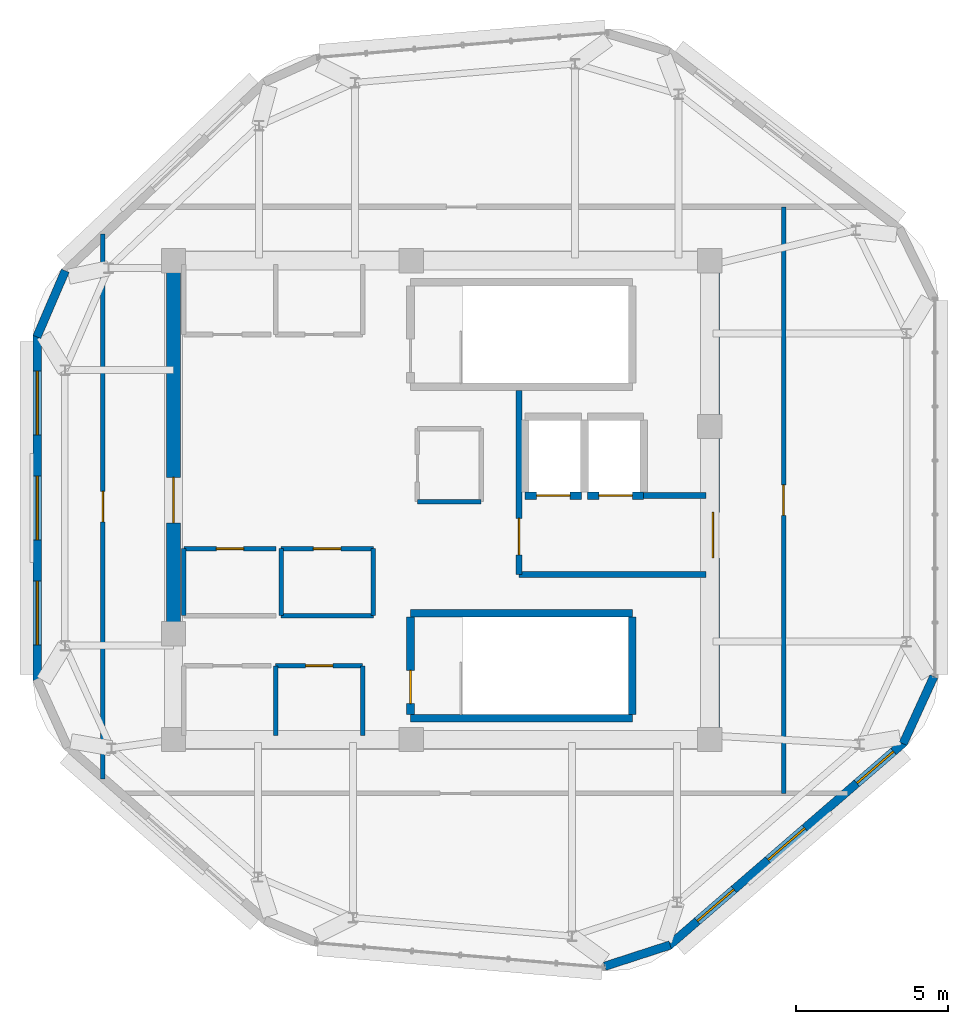
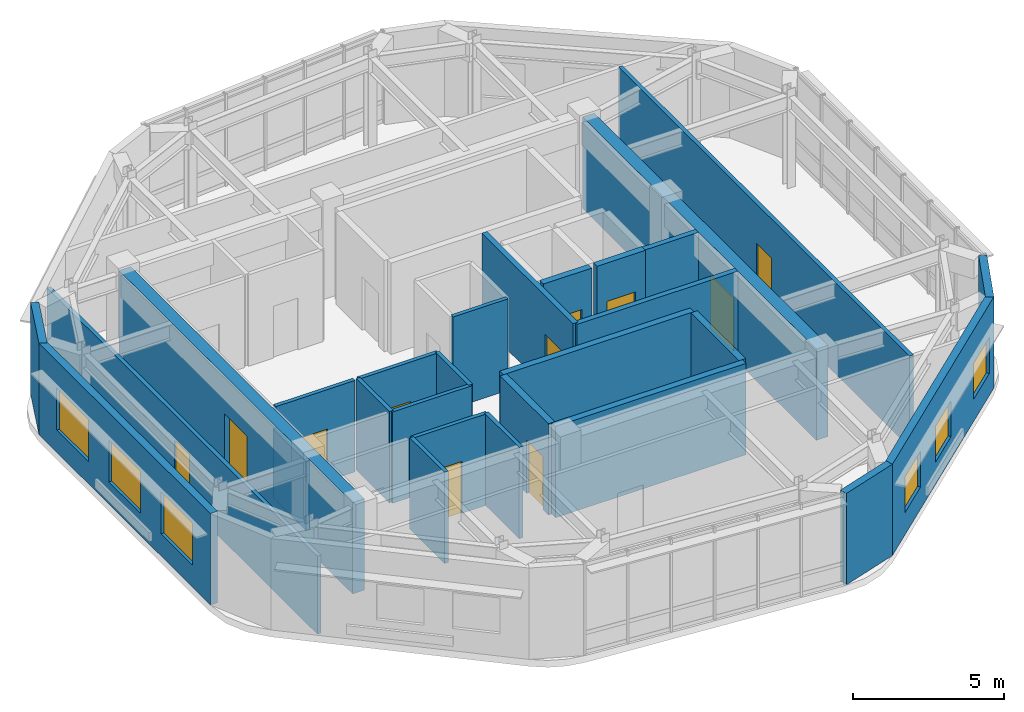
# One storey, part 11 of 13: 28 walls, 11 doors, 6 windows, 17 openings.
"""IFC4 building model written with IfcOpenShell, lengths in metres."""

import ifcopenshell
import ifcopenshell.guid

model = None  # the IFC model being written
_history = None  # IfcOwnerHistory: only IFC2X3 demands one
_inside = {}  # id of a spatial element -> (the spatial element, [elements in it])
_under = {}  # id of a project, library or spatial element -> (it, [spatial elements below it])
_declared = {}  # id of a project -> (the project, [libraries it declares])
_typed = {}  # id of a type object -> (the type object, [elements of that type])
_made_of = {}  # id of a material, layer set ... -> (it, [elements and type objects made of it])


def new_model(schema):
    """Start an empty IFC model of exactly this schema.

    Asked for "IFC4X3", IfcOpenShell would pick the latest addendum, in which some entities
    have other attributes; the version numbers below select the first issue.
    IFC2X3 requires an IfcOwnerHistory on every rooted entity: one is made here for all.
    """
    global model, _history
    if schema == "IFC4X3":
        model = ifcopenshell.file(schema_version=(4, 3, 0, 0))
    else:
        model = ifcopenshell.file(schema=schema)
    _inside.clear()
    _under.clear()
    _declared.clear()
    _typed.clear()
    _made_of.clear()
    _history = None
    if model.schema == "IFC2X3":
        org = make("IfcOrganization", Name="unknown")
        user = make(
            "IfcPersonAndOrganization",
            ThePerson=make("IfcPerson", FamilyName="unknown"),
            TheOrganization=org,
        )
        app = make(
            "IfcApplication",
            ApplicationDeveloper=org,
            Version="unknown",
            ApplicationFullName="unknown",
            ApplicationIdentifier="unknown",
        )
        _history = make(
            "IfcOwnerHistory",
            OwningUser=user,
            OwningApplication=app,
            ChangeAction="ADDED",
            CreationDate=0,
        )
    return model


def make(cls, **values):
    """One entity of the class cls with the attributes given. An attribute that is None is left unset."""
    return model.create_entity(
        cls, **{name: value for name, value in values.items() if value is not None}
    )


def rooted(cls, **values):
    """An entity with a GlobalId (a new one), such as an element, a storey or a relation."""
    return make(cls, GlobalId=ifcopenshell.guid.new(), OwnerHistory=_history, **values)


def si_unit(unit_type, name, prefix=None):
    """IfcSIUnit, for example si_unit("LENGTHUNIT", "METRE", prefix="MILLI")."""
    return make("IfcSIUnit", UnitType=unit_type, Prefix=prefix, Name=name)


def assignment(units):
    """IfcUnitAssignment: the units of a project."""
    return None if units is None else make("IfcUnitAssignment", Units=units)


def point(xyz):
    """IfcCartesianPoint."""
    return None if xyz is None else make("IfcCartesianPoint", Coordinates=xyz)


def direction(xyz):
    """IfcDirection."""
    return None if xyz is None else make("IfcDirection", DirectionRatios=xyz)


def frame(location, z_axis=None, x_axis=None):
    """IfcAxis2Placement3D, a coordinate frame: its origin and axes. An axis left out is left unset."""
    return make(
        "IfcAxis2Placement3D",
        Location=point(location),
        Axis=direction(z_axis),
        RefDirection=direction(x_axis),
    )


def frame_2d(location, x_axis=None):
    """IfcAxis2Placement2D, a coordinate frame in the plane: its origin and x axis."""
    return make(
        "IfcAxis2Placement2D", Location=point(location), RefDirection=direction(x_axis)
    )


def origin():
    """The frame at (0, 0, 0) with its axes left unset."""
    return frame((0.0, 0.0, 0.0))


def place(relative_to, where):
    """IfcLocalPlacement: puts the frame where relative to a parent placement (None: the world)."""
    return make(
        "IfcLocalPlacement", PlacementRelTo=relative_to, RelativePlacement=where
    )


def context(
    kind, dimensions, precision=None, world=None, true_north=None, identifier=None
):
    """IfcGeometricRepresentationContext, for example the 3D "Model" context."""
    return make(
        "IfcGeometricRepresentationContext",
        ContextIdentifier=identifier,
        ContextType=kind,
        CoordinateSpaceDimension=dimensions,
        Precision=precision,
        WorldCoordinateSystem=world,
        TrueNorth=true_north,
    )


def subcontext(parent, identifier, kind, view, scale=None):
    """IfcGeometricRepresentationSubContext, for example "Body" below "Model"."""
    return make(
        "IfcGeometricRepresentationSubContext",
        ContextIdentifier=identifier,
        ContextType=kind,
        ParentContext=parent,
        TargetScale=scale,
        TargetView=view,
    )


def project(units=None, contexts=None):
    """IfcProject with its units and contexts."""
    return rooted(
        "IfcProject",
        Name="project",
        RepresentationContexts=contexts,
        UnitsInContext=assignment(units),
    )


def spatial(cls, under=None, at=None, **own):
    """A site, building, storey or space (cls), placed at a placement, below another one or the project."""
    s = rooted(cls, ObjectPlacement=at, **own)
    if under is not None:
        _under.setdefault(under.id(), (under, []))[1].append(s)
    return s


def profile(cls, at=None, kind="AREA", **sizes):
    """A parametric profile (cls). Its sizes go by their IFC names, for example OverallWidth=200.0."""
    return make(cls, ProfileType=kind, Position=at, **sizes)


def rectangle(**sizes):
    """IfcRectangleProfileDef."""
    return profile("IfcRectangleProfileDef", **sizes)


def extrude(swept, where, along, depth):
    """IfcExtrudedAreaSolid: the profile swept, set in the frame where, extruded along a direction by depth."""
    return make(
        "IfcExtrudedAreaSolid",
        SweptArea=swept,
        Position=where,
        ExtrudedDirection=direction(along),
        Depth=depth,
    )


def shape(context_of_items, identifier, shape_type, items):
    """IfcShapeRepresentation: the items that make up one representation, for example the "Body"."""
    return make(
        "IfcShapeRepresentation",
        ContextOfItems=context_of_items,
        RepresentationIdentifier=identifier,
        RepresentationType=shape_type,
        Items=items,
    )


def material(Name=None, Category=None):
    """IfcMaterial."""
    return make("IfcMaterial", Name=Name, Category=Category)


def layer(
    of_material, thickness, ventilated=None, Name=None, Category=None, Priority=None
):
    """IfcMaterialLayer: one layer of a wall or slab, of a material (None: an air gap)."""
    return make(
        "IfcMaterialLayer",
        Material=of_material,
        LayerThickness=thickness,
        IsVentilated=ventilated,
        Name=Name,
        Category=Category,
        Priority=Priority,
    )


def layer_set(layers, Name=None):
    """IfcMaterialLayerSet."""
    return make("IfcMaterialLayerSet", MaterialLayers=layers, LayerSetName=Name)


def made_of(thing, what):
    """Note that an element or type object is made of a material, layer set ...; save() writes the relation."""
    if what is not None:
        _made_of.setdefault(what.id(), (what, []))[1].append(thing)
    return thing


def type_object(cls, material=None, **own):
    """A type object (cls), such as IfcWallType, which elements share."""
    return made_of(rooted(cls, **own), material)


def element(
    cls,
    number,
    at=None,
    inside=None,
    cuts=None,
    type_object=None,
    material=None,
    context=None,
    identifier="Body",
    shape_type=None,
    held_by="IfcProductDefinitionShape",
    body=None,
    shapes=None,
    **own,
):
    """One element of the class cls, such as IfcWall. Its Tag is "e" and its number.

    at: its placement. inside: the storey or other place that contains it. cuts: it is an
    opening in that element (IfcRelVoidsElement). A single representation is given by context,
    identifier, shape_type and body (its items); several are given by shapes. held_by: the class
    of the entity that holds the representations. save() writes the other relations.
    """
    e = rooted(cls, Tag="e%d" % number, ObjectPlacement=at, **own)
    if body is not None:
        shapes = [shape(context, identifier, shape_type, body)]
    if shapes is not None:
        e.Representation = make(held_by, Representations=shapes)
    if inside is not None:
        _inside.setdefault(inside.id(), (inside, []))[1].append(e)
    if cuts is not None:
        rooted(
            "IfcRelVoidsElement", RelatingBuildingElement=cuts, RelatedOpeningElement=e
        )
    if type_object is not None:
        _typed.setdefault(type_object.id(), (type_object, []))[1].append(e)
    return made_of(e, material)


def fill(opening, filler):
    """IfcRelFillsElement: the door or window that sits in an opening."""
    return rooted(
        "IfcRelFillsElement",
        RelatingOpeningElement=opening,
        RelatedBuildingElement=filler,
    )


def aggregate(whole, parts):
    """IfcRelAggregates: a whole, such as a stair, and the parts it consists of."""
    return rooted("IfcRelAggregates", RelatingObject=whole, RelatedObjects=parts)


def save(model, path):
    """Write the relations noted so far, then the file.

    IfcRelAggregates (storeys below a building ...), IfcRelContainedInSpatialStructure (elements
    in a storey), IfcRelDefinesByType, IfcRelAssociatesMaterial and IfcRelDeclares: one each for
    every whole, place, type object, material and project.
    """
    for whole, parts in _under.values():
        aggregate(whole, parts)
    for where, things in _inside.values():
        rooted(
            "IfcRelContainedInSpatialStructure",
            RelatedElements=things,
            RelatingStructure=where,
        )
    for kind, things in _typed.values():
        rooted("IfcRelDefinesByType", RelatedObjects=things, RelatingType=kind)
    for what, things in _made_of.values():
        rooted("IfcRelAssociatesMaterial", RelatedObjects=things, RelatingMaterial=what)
    for by, libraries in _declared.values():
        rooted("IfcRelDeclares", RelatingContext=by, RelatedDefinitions=libraries)
    model.write(path)


model = new_model("IFC4")

# Units and contexts
model_context = context("Model", 3, precision=1e-05, world=origin(), true_north=direction((0.0, 1.0)))
body_context = subcontext(model_context, "Body", "Model", "MODEL_VIEW")
ifc_project = project(units=[si_unit("LENGTHUNIT", "METRE"), si_unit("AREAUNIT", "SQUARE_METRE"), si_unit("VOLUMEUNIT", "CUBIC_METRE"), si_unit("PLANEANGLEUNIT", "RADIAN"), si_unit("MASSUNIT", "GRAM", prefix="KILO")], contexts=[model_context])

# Site, building, storey
site_placement = place(None, origin())
site = spatial("IfcSite", under=ifc_project, at=site_placement, CompositionType="ELEMENT")
building_placement = place(site_placement, origin())
building = spatial("IfcBuilding", under=site, at=building_placement, Name="Zulverin Broadcast Headquarters", CompositionType="ELEMENT")
storey_placement = place(building_placement, frame((0.0, 0.0, 333.39990234375)))
storey = spatial("IfcBuildingStorey", under=building, at=storey_placement, Name="C6", CompositionType="ELEMENT", Elevation=333.39990234375)

# Wall, opening, door
ifc_material_1 = material(Name="Concrete C50/60", Category="concrete")
ifc_layer_1 = layer(ifc_material_1, 0.449951171875, Name="Concrete C50/60", Category="concrete")
ifc_layer_set_1 = layer_set([ifc_layer_1], Name="Concrete C50/60")
wall_type_1 = type_object("IfcWallType", Name="WL-CORE-450", PredefinedType="SHEAR", material=ifc_layer_set_1)
wall_1_placement = place(storey_placement, frame((30.625, 17.449951171875, 0.0), z_axis=(0.0, 0.0, 1.0), x_axis=(0.0, 1.0, 0.0)))
wall_1 = element("IfcWall", 1, at=wall_1_placement, inside=storey, type_object=wall_type_1, Name="C6 Core West Shear Wall", PredefinedType="SHEAR", context=body_context, shape_type="SweptSolid", body=[
    extrude(rectangle(XDim=15.5, YDim=0.449951171875, at=frame_2d((7.75, 0.0))), origin(), (0.0, 0.0, 1.0), 3.7001953125),
])
opening_1_placement = place(wall_1_placement, frame((7.0, 0.0, 0.0)))
opening_1 = element("IfcOpeningElement", 2, at=opening_1_placement, cuts=wall_1, Name="Opening D-C6-CW1", PredefinedType="OPENING", context=body_context, shape_type="SweptSolid", body=[
    extrude(rectangle(XDim=1.5, YDim=2.14990234375, at=frame_2d((0.75, 1.074951171875))), frame((0.0, 0.23486328125, 0.0), z_axis=(0.0, -1.0, 0.0), x_axis=(1.0, 0.0, 0.0)), (0.0, 0.0, 1.0), 0.469970703125),
])
ifc_material_2 = material(Name="Fire-rated glazed steel frame", Category="steel")
door_type_1 = type_object("IfcDoorType", Name="DR-COR-1500", OperationType="DOUBLE_DOOR_SINGLE_SWING", PredefinedType="DOOR", material=ifc_material_2)
door_1_placement = place(opening_1_placement, origin())
door_1 = element("IfcDoor", 3, at=door_1_placement, inside=storey, type_object=door_type_1, Name="C6 Central Lift Lobby West Portal Door", OperationType="DOUBLE_DOOR_SINGLE_SWING", OverallHeight=2.14990234375, OverallWidth=1.5, PredefinedType="DOOR", context=body_context, shape_type="SweptSolid", body=[
    extrude(rectangle(XDim=1.5, YDim=2.14990234375, at=frame_2d((0.75, 1.074951171875))), frame((0.0, 0.02490234375, 0.0), z_axis=(0.0, -1.0, 0.0), x_axis=(1.0, 0.0, 0.0)), (0.0, 0.0, 1.0), 0.050048828125),
])
fill(opening_1, door_1)

wall_2_placement = place(storey_placement, frame((48.375, 17.449951171875, 0.0), z_axis=(0.0, 0.0, 1.0), x_axis=(0.0, 1.0, 0.0)))
wall_2 = element("IfcWall", 4, at=wall_2_placement, inside=storey, type_object=wall_type_1, Name="C6 Core East Shear Wall", PredefinedType="SHEAR", context=body_context, shape_type="SweptSolid", body=[
    extrude(rectangle(XDim=15.5, YDim=0.449951171875, at=frame_2d((7.75, 0.0))), origin(), (0.0, 0.0, 1.0), 3.7001953125),
])
opening_2_placement = place(wall_2_placement, frame((5.85009765625, 0.0, 0.0)))
opening_2 = element("IfcOpeningElement", 5, at=opening_2_placement, cuts=wall_2, Name="Opening D-C6-CE1", PredefinedType="OPENING", context=body_context, shape_type="SweptSolid", body=[
    extrude(rectangle(XDim=1.5, YDim=2.14990234375, at=frame_2d((0.75, 1.074951171875))), frame((0.0, 0.23486328125, 0.0), z_axis=(0.0, -1.0, 0.0), x_axis=(1.0, 0.0, 0.0)), (0.0, 0.0, 1.0), 0.469970703125),
])
door_2_placement = place(opening_2_placement, origin())
door_2 = element("IfcDoor", 6, at=door_2_placement, inside=storey, type_object=door_type_1, Name="C6 Firefighting Lobby East Corridor Door", OperationType="DOUBLE_DOOR_SINGLE_SWING", OverallHeight=2.14990234375, OverallWidth=1.5, PredefinedType="DOOR", context=body_context, shape_type="SweptSolid", body=[
    extrude(rectangle(XDim=1.5, YDim=2.14990234375, at=frame_2d((0.75, 1.074951171875))), frame((0.0, 0.02490234375, 0.0), z_axis=(0.0, -1.0, 0.0), x_axis=(1.0, 0.0, 0.0)), (0.0, 0.0, 1.0), 0.050048828125),
])
fill(opening_2, door_2)

# Wall, openings, windows
ifc_material_3 = material(Name="Insulated pale-metal clad concrete spandrel C40/50", Category="concrete")
ifc_layer_2 = layer(ifc_material_3, 0.280029296875, Name="Insulated pale-metal clad concrete spandrel C40/50", Category="concrete")
ifc_layer_set_2 = layer_set([ifc_layer_2], Name="Insulated pale-metal clad concrete spandrel C40/50")
wall_type_2 = type_object("IfcWallType", Name="WL-EXT-280", PredefinedType="STANDARD", material=ifc_layer_set_2)
wall_3_placement = place(storey_placement, frame((46.921142578125, 10.532958984375, 0.0), z_axis=(0.0, 0.0, 1.0), x_axis=(0.756489047049, 0.654006362121, 0.0)))
wall_3 = element("IfcWall", 7, at=wall_3_placement, inside=storey, type_object=wall_type_2, Name="C6 Pale-Metal Clad Spandrel Wall 2", PredefinedType="STANDARD", context=body_context, shape_type="SweptSolid", body=[
    extrude(rectangle(XDim=10.24365234375, YDim=0.280029296875, at=frame_2d((5.121826171875, 0.0))), origin(), (0.0, 0.0, 1.0), 3.7001953125),
])
opening_3_placement = place(wall_3_placement, frame((1.240478515625, 0.0, 0.89990234375)))
opening_3 = element("IfcOpeningElement", 8, at=opening_3_placement, cuts=wall_3, Name="Opening W-C6-E21", PredefinedType="OPENING", context=body_context, shape_type="SweptSolid", body=[
    extrude(rectangle(XDim=1.60009765625, YDim=1.449951171875, at=frame_2d((0.800048828125, 0.72509765625))), frame((0.0, 0.14990234375, 0.0), z_axis=(0.0, -1.0, 0.0), x_axis=(1.0, 0.0, 0.0)), (0.0, 0.0, 1.0), 0.300048828125),
])
opening_4_placement = place(wall_3_placement, frame((4.322021484375, 0.0, 0.89990234375)))
opening_4 = element("IfcOpeningElement", 9, at=opening_4_placement, cuts=wall_3, Name="Opening W-C6-E22", PredefinedType="OPENING", context=body_context, shape_type="SweptSolid", body=[
    extrude(rectangle(XDim=1.60009765625, YDim=1.449951171875, at=frame_2d((0.800048828125, 0.72509765625))), frame((0.0, 0.14990234375, 0.0), z_axis=(0.0, -1.0, 0.0), x_axis=(1.0, 0.0, 0.0)), (0.0, 0.0, 1.0), 0.300048828125),
])
opening_5_placement = place(wall_3_placement, frame((8.18310546875, 0.0, 0.89990234375)))
opening_5 = element("IfcOpeningElement", 10, at=opening_5_placement, cuts=wall_3, Name="Opening W-C6-E23", PredefinedType="OPENING", context=body_context, shape_type="SweptSolid", body=[
    extrude(rectangle(XDim=1.60009765625, YDim=1.449951171875, at=frame_2d((0.800048828125, 0.72509765625))), frame((0.0, 0.14990234375, 0.0), z_axis=(0.0, -1.0, 0.0), x_axis=(1.0, 0.0, 0.0)), (0.0, 0.0, 1.0), 0.300048828125),
])
ifc_material_4 = material(Name="Pale anodized aluminium frame with solar-control low-E double glazing", Category="aluminium")
window_type_1 = type_object("IfcWindowType", Name="WIN-CRN-1600", PartitioningType="SINGLE_PANEL", PredefinedType="WINDOW", material=ifc_material_4)
window_1_placement = place(opening_3_placement, origin())
window_1 = element("IfcWindow", 11, at=window_1_placement, inside=storey, type_object=window_type_1, Name="C6 Ribbon Glazing Window 2 1", OverallHeight=1.449951171875, OverallWidth=1.60009765625, PartitioningType="SINGLE_PANEL", PredefinedType="WINDOW", context=body_context, shape_type="SweptSolid", body=[
    extrude(rectangle(XDim=1.60009765625, YDim=1.449951171875, at=frame_2d((0.800048828125, 0.72509765625))), frame((0.0, 0.030029296875, 0.0), z_axis=(0.0, -1.0, 0.0), x_axis=(1.0, 0.0, 0.0)), (0.0, 0.0, 1.0), 0.06005859375),
])
fill(opening_3, window_1)
window_2_placement = place(opening_4_placement, origin())
window_2 = element("IfcWindow", 12, at=window_2_placement, inside=storey, type_object=window_type_1, Name="C6 Ribbon Glazing Window 2 2", OverallHeight=1.449951171875, OverallWidth=1.60009765625, PartitioningType="SINGLE_PANEL", PredefinedType="WINDOW", context=body_context, shape_type="SweptSolid", body=[
    extrude(rectangle(XDim=1.60009765625, YDim=1.449951171875, at=frame_2d((0.800048828125, 0.72509765625))), frame((0.0, 0.030029296875, 0.0), z_axis=(0.0, -1.0, 0.0), x_axis=(1.0, 0.0, 0.0)), (0.0, 0.0, 1.0), 0.06005859375),
])
fill(opening_4, window_2)
window_3_placement = place(opening_5_placement, origin())
window_3 = element("IfcWindow", 13, at=window_3_placement, inside=storey, type_object=window_type_1, Name="C6 Ribbon Glazing Window 2 3", OverallHeight=1.449951171875, OverallWidth=1.60009765625, PartitioningType="SINGLE_PANEL", PredefinedType="WINDOW", context=body_context, shape_type="SweptSolid", body=[
    extrude(rectangle(XDim=1.60009765625, YDim=1.449951171875, at=frame_2d((0.800048828125, 0.72509765625))), frame((0.0, 0.030029296875, 0.0), z_axis=(0.0, -1.0, 0.0), x_axis=(1.0, 0.0, 0.0)), (0.0, 0.0, 1.0), 0.06005859375),
])
fill(opening_5, window_3)

wall_4_placement = place(storey_placement, frame((26.139892578125, 30.625732421875, 0.0), z_axis=(0.0, 0.0, 1.0), x_axis=(0.0, -1.0, 0.0)))
wall_4 = element("IfcWall", 14, at=wall_4_placement, inside=storey, type_object=wall_type_2, Name="C6 Pale-Metal Clad Spandrel Wall 7", PredefinedType="STANDARD", context=body_context, shape_type="SweptSolid", body=[
    extrude(rectangle(XDim=11.366943359375, YDim=0.280029296875, at=frame_2d((5.68359375, 0.0))), origin(), (0.0, 0.0, 1.0), 3.7001953125),
])
opening_6_placement = place(wall_4_placement, frame((1.177734375, 0.0, 0.89990234375)))
opening_6 = element("IfcOpeningElement", 15, at=opening_6_placement, cuts=wall_4, Name="Opening W-C6-E71", PredefinedType="OPENING", context=body_context, shape_type="SweptSolid", body=[
    extrude(rectangle(XDim=2.10009765625, YDim=1.699951171875, at=frame_2d((1.050048828125, 0.85009765625))), frame((0.0, 0.14990234375, 0.0), z_axis=(0.0, -1.0, 0.0), x_axis=(1.0, 0.0, 0.0)), (0.0, 0.0, 1.0), 0.300048828125),
])
opening_7_placement = place(wall_4_placement, frame((4.633544921875, 0.0, 0.89990234375)))
opening_7 = element("IfcOpeningElement", 16, at=opening_7_placement, cuts=wall_4, Name="Opening W-C6-E72", PredefinedType="OPENING", context=body_context, shape_type="SweptSolid", body=[
    extrude(rectangle(XDim=2.10009765625, YDim=1.699951171875, at=frame_2d((1.050048828125, 0.85009765625))), frame((0.0, 0.14990234375, 0.0), z_axis=(0.0, -1.0, 0.0), x_axis=(1.0, 0.0, 0.0)), (0.0, 0.0, 1.0), 0.300048828125),
])
opening_8_placement = place(wall_4_placement, frame((8.089111328125, 0.0, 0.89990234375)))
opening_8 = element("IfcOpeningElement", 17, at=opening_8_placement, cuts=wall_4, Name="Opening W-C6-E73", PredefinedType="OPENING", context=body_context, shape_type="SweptSolid", body=[
    extrude(rectangle(XDim=2.10009765625, YDim=1.699951171875, at=frame_2d((1.050048828125, 0.85009765625))), frame((0.0, 0.14990234375, 0.0), z_axis=(0.0, -1.0, 0.0), x_axis=(1.0, 0.0, 0.0)), (0.0, 0.0, 1.0), 0.300048828125),
])
window_type_2 = type_object("IfcWindowType", Name="WIN-CRN-2100", PartitioningType="SINGLE_PANEL", PredefinedType="WINDOW", material=ifc_material_4)
window_4_placement = place(opening_6_placement, origin())
window_4 = element("IfcWindow", 18, at=window_4_placement, inside=storey, type_object=window_type_2, Name="C6 Ribbon Glazing Window 7 1", OverallHeight=1.699951171875, OverallWidth=2.10009765625, PartitioningType="SINGLE_PANEL", PredefinedType="WINDOW", context=body_context, shape_type="SweptSolid", body=[
    extrude(rectangle(XDim=2.10009765625, YDim=1.699951171875, at=frame_2d((1.050048828125, 0.85009765625))), frame((0.0, 0.030029296875, 0.0), z_axis=(0.0, -1.0, 0.0), x_axis=(1.0, 0.0, 0.0)), (0.0, 0.0, 1.0), 0.06005859375),
])
fill(opening_6, window_4)
window_5_placement = place(opening_7_placement, origin())
window_5 = element("IfcWindow", 19, at=window_5_placement, inside=storey, type_object=window_type_2, Name="C6 Ribbon Glazing Window 7 2", OverallHeight=1.699951171875, OverallWidth=2.10009765625, PartitioningType="SINGLE_PANEL", PredefinedType="WINDOW", context=body_context, shape_type="SweptSolid", body=[
    extrude(rectangle(XDim=2.10009765625, YDim=1.699951171875, at=frame_2d((1.050048828125, 0.85009765625))), frame((0.0, 0.030029296875, 0.0), z_axis=(0.0, -1.0, 0.0), x_axis=(1.0, 0.0, 0.0)), (0.0, 0.0, 1.0), 0.06005859375),
])
fill(opening_7, window_5)
window_6_placement = place(opening_8_placement, origin())
window_6 = element("IfcWindow", 20, at=window_6_placement, inside=storey, type_object=window_type_2, Name="C6 Ribbon Glazing Window 7 3", OverallHeight=1.699951171875, OverallWidth=2.10009765625, PartitioningType="SINGLE_PANEL", PredefinedType="WINDOW", context=body_context, shape_type="SweptSolid", body=[
    extrude(rectangle(XDim=2.10009765625, YDim=1.699951171875, at=frame_2d((1.050048828125, 0.85009765625))), frame((0.0, 0.030029296875, 0.0), z_axis=(0.0, -1.0, 0.0), x_axis=(1.0, 0.0, 0.0)), (0.0, 0.0, 1.0), 0.06005859375),
])
fill(opening_8, window_6)

# Walls
wall_5_placement = place(storey_placement, frame((44.814453125, 9.860595703125, 0.0), z_axis=(0.0, 0.0, 1.0), x_axis=(0.951121924751, 0.308815615309, 0.0)))
element("IfcWall", 21, at=wall_5_placement, inside=storey, type_object=wall_type_2, Name="C6 Wind-Shaped Corner Spandrel Wall 1-1", PredefinedType="STANDARD", context=body_context, shape_type="SweptSolid", body=[
    extrude(rectangle(XDim=2.265869140625, YDim=0.280029296875, at=frame_2d((1.1328125, 0.0))), origin(), (0.0, 0.0, 1.0), 3.7001953125),
])
wall_6_placement = place(storey_placement, frame((54.634765625, 17.184814453125, 0.0), z_axis=(0.0, 0.0, 1.0), x_axis=(0.415845215277, 0.909435405585, 0.0)))
element("IfcWall", 22, at=wall_6_placement, inside=storey, type_object=wall_type_2, Name="C6 Wind-Shaped Corner Spandrel Wall 2-1", PredefinedType="STANDARD", context=body_context, shape_type="SweptSolid", body=[
    extrude(rectangle(XDim=2.4306640625, YDim=0.280029296875, at=frame_2d((1.21533203125, 0.0))), origin(), (0.0, 0.0, 1.0), 3.7001953125),
])
wall_7_placement = place(storey_placement, frame((27.065185546875, 32.748046875, 0.0), z_axis=(0.0, 0.0, 1.0), x_axis=(-0.39509989751, -0.918638161077, 0.0)))
element("IfcWall", 23, at=wall_7_placement, inside=storey, type_object=wall_type_2, Name="C6 Wind-Shaped Corner Spandrel Wall 6-1", PredefinedType="STANDARD", context=body_context, shape_type="SweptSolid", body=[
    extrude(rectangle(XDim=2.370361328125, YDim=0.280029296875, at=frame_2d((1.18505859375, 0.0))), origin(), (0.0, 0.0, 1.0), 3.7001953125),
])

# Wall, opening, door
ifc_material_5 = material(Name="Concrete C40/50", Category="concrete")
ifc_layer_3 = layer(ifc_material_5, 0.199951171875, Name="Concrete C40/50", Category="concrete")
ifc_layer_set_3 = layer_set([ifc_layer_3], Name="Concrete C40/50")
wall_type_3 = type_object("IfcWallType", Name="WL-FFL-200", PredefinedType="SOLIDWALL", material=ifc_layer_set_3)
wall_8_placement = place(storey_placement, frame((42.0, 22.75, 0.0), z_axis=(0.0, 0.0, 1.0), x_axis=(0.0, 1.0, 0.0)))
wall_8 = element("IfcWall", 24, at=wall_8_placement, inside=storey, type_object=wall_type_3, Name="C6 Firefighting Lift Lobby West Wall", PredefinedType="SOLIDWALL", context=body_context, shape_type="SweptSolid", body=[
    extrude(rectangle(XDim=6.050048828125, YDim=0.199951171875, at=frame_2d((3.02490234375, 0.0))), origin(), (0.0, 0.0, 1.0), 3.7001953125),
])
opening_9_placement = place(wall_8_placement, frame((0.64990234375, 0.0, 0.0)))
opening_9 = element("IfcOpeningElement", 25, at=opening_9_placement, cuts=wall_8, Name="Opening D-C6-FFLW", PredefinedType="OPENING", context=body_context, shape_type="SweptSolid", body=[
    extrude(rectangle(XDim=1.199951171875, YDim=2.14990234375, at=frame_2d((0.60009765625, 1.074951171875))), frame((0.0, 0.10986328125, 0.0), z_axis=(0.0, -1.0, 0.0), x_axis=(1.0, 0.0, 0.0)), (0.0, 0.0, 1.0), 0.219970703125),
])
ifc_material_6 = material(Name="Fire-rated steel leaf and frame", Category="steel")
door_type_2 = type_object("IfcDoorType", Name="DR-FFL-1200", OperationType="SINGLE_SWING_RIGHT", PredefinedType="DOOR", material=ifc_material_6)
door_3_placement = place(opening_9_placement, origin())
door_3 = element("IfcDoor", 26, at=door_3_placement, inside=storey, type_object=door_type_2, Name="C6 Firefighting Lift Lobby Door", OperationType="SINGLE_SWING_LEFT", OverallHeight=2.14990234375, OverallWidth=1.199951171875, PredefinedType="DOOR", context=body_context, shape_type="SweptSolid", body=[
    extrude(rectangle(XDim=1.199951171875, YDim=2.14990234375, at=frame_2d((0.60009765625, 1.074951171875))), frame((0.0, 0.02490234375, 0.0), z_axis=(0.0, -1.0, 0.0), x_axis=(1.0, 0.0, 0.0)), (0.0, 0.0, 1.0), 0.050048828125),
])
fill(opening_9, door_3)

# Walls
wall_9_placement = place(storey_placement, frame((42.0, 22.75, 0.0), z_axis=(0.0, 0.0, 1.0), x_axis=(1.0, 0.0, 0.0)))
element("IfcWall", 27, at=wall_9_placement, inside=storey, type_object=wall_type_3, Name="C6 Firefighting Lift Lobby South Wall", PredefinedType="SOLIDWALL", context=body_context, shape_type="SweptSolid", body=[
    extrude(rectangle(XDim=6.14990234375, YDim=0.199951171875, at=frame_2d((3.074951171875, 0.0))), origin(), (0.0, 0.0, 1.0), 3.7001953125),
])
wall_10_placement = place(storey_placement, frame((46.10009765625, 25.35009765625, 0.0), z_axis=(0.0, 0.0, 1.0), x_axis=(1.0, 0.0, 0.0)))
element("IfcWall", 28, at=wall_10_placement, inside=storey, type_object=wall_type_3, Name="C6 Firefighting Lift Lobby North Wall", PredefinedType="SOLIDWALL", context=body_context, shape_type="SweptSolid", body=[
    extrude(rectangle(XDim=2.0498046875, YDim=0.199951171875, at=frame_2d((1.02490234375, 0.0))), origin(), (0.0, 0.0, 1.0), 3.7001953125),
])

# Wall, opening, door
ifc_material_7 = material(Name="Fire-rated gypsum stud partition", Category="gypsum")
ifc_layer_4 = layer(ifc_material_7, 0.14990234375, Name="Fire-rated gypsum stud partition", Category="gypsum")
ifc_layer_set_4 = layer_set([ifc_layer_4], Name="Fire-rated gypsum stud partition")
wall_type_4 = type_object("IfcWallType", Name="WL-PART-150", PredefinedType="PARTITIONING", material=ifc_layer_set_4)
wall_11_placement = place(storey_placement, frame((33.989990234375, 19.75, 0.0), z_axis=(0.0, 0.0, 1.0), x_axis=(1.0, 0.0, 0.0)))
wall_11 = element("IfcWall", 29, at=wall_11_placement, inside=storey, type_object=wall_type_4, Name="C6 Core Cleaner Store Front Wall", PredefinedType="PARTITIONING", context=body_context, shape_type="SweptSolid", body=[
    extrude(rectangle(XDim=2.860107421875, YDim=0.14990234375, at=frame_2d((1.43017578125, 0.0))), origin(), (0.0, 0.0, 1.0), 3.7001953125),
])
opening_10_placement = place(wall_11_placement, frame((0.97998046875, 0.0, 0.0)))
opening_10 = element("IfcOpeningElement", 30, at=opening_10_placement, cuts=wall_11, Name="Opening D-C6-SC2", PredefinedType="OPENING", context=body_context, shape_type="SweptSolid", body=[
    extrude(rectangle(XDim=0.89990234375, YDim=2.10009765625, at=frame_2d((0.449951171875, 1.050048828125))), frame((0.0, 0.0849609375, 0.0), z_axis=(0.0, -1.0, 0.0), x_axis=(1.0, 0.0, 0.0)), (0.0, 0.0, 1.0), 0.169921875),
])
ifc_material_8 = material(Name="Powder-coated steel access leaf", Category="steel")
door_type_3 = type_object("IfcDoorType", Name="DR-RISER-900", OperationType="SINGLE_SWING_LEFT", PredefinedType="DOOR", material=ifc_material_8)
door_4_placement = place(opening_10_placement, origin())
door_4 = element("IfcDoor", 31, at=door_4_placement, inside=storey, type_object=door_type_3, Name="C6 Cleaner Store Door", OperationType="SINGLE_SWING_LEFT", OverallHeight=2.10009765625, OverallWidth=0.89990234375, PredefinedType="DOOR", context=body_context, shape_type="SweptSolid", body=[
    extrude(rectangle(XDim=0.89990234375, YDim=2.10009765625, at=frame_2d((0.449951171875, 1.050048828125))), frame((0.0, 0.02490234375, 0.0), z_axis=(0.0, -1.0, 0.0), x_axis=(1.0, 0.0, 0.0)), (0.0, 0.0, 1.0), 0.050048828125),
])
fill(opening_10, door_4)

# Walls
for number, where, z_axis, x_axis, name in (
    (32, (33.989990234375, 17.449951171875, 0.0), (0.0, 0.0, 1.0), (0.0, 1.0, 0.0), "C6 Core Cleaner Store West Wall"),
    (33, (36.85009765625, 17.449951171875, 0.0), (0.0, 0.0, 1.0), (0.0, 1.0, 0.0), "C6 Core Cleaner Store East Wall"),
):
    element("IfcWall", number, at=place(storey_placement, frame(where, z_axis=z_axis, x_axis=x_axis)), inside=storey, type_object=wall_type_4, Name=name, PredefinedType="PARTITIONING", context=body_context, shape_type="SweptSolid", body=[
        extrude(rectangle(XDim=2.300048828125, YDim=0.14990234375, at=frame_2d((1.14990234375, 0.0))), origin(), (0.0, 0.0, 1.0), 3.7001953125),
    ])

# Wall, opening, door
wall_12_placement = place(storey_placement, frame((30.969970703125, 23.60009765625, 0.0), z_axis=(0.0, 0.0, 1.0), x_axis=(1.0, 0.0, 0.0)))
wall_12 = element("IfcWall", 34, at=wall_12_placement, inside=storey, type_object=wall_type_4, Name="C6 Crown Mechanical Riser Room N Wall", PredefinedType="PARTITIONING", context=body_context, shape_type="SweptSolid", body=[
    extrude(rectangle(XDim=3.034912109375, YDim=0.14990234375, at=frame_2d((1.517578125, 0.0))), origin(), (0.0, 0.0, 1.0), 3.7001953125),
])
opening_11_placement = place(wall_12_placement, frame((1.0673828125, 0.0, 0.0)))
opening_11 = element("IfcOpeningElement", 35, at=opening_11_placement, cuts=wall_12, Name="Opening D-C6-RM1", PredefinedType="OPENING", context=body_context, shape_type="SweptSolid", body=[
    extrude(rectangle(XDim=0.89990234375, YDim=2.10009765625, at=frame_2d((0.449951171875, 1.050048828125))), frame((0.0, 0.0849609375, 0.0), z_axis=(0.0, -1.0, 0.0), x_axis=(1.0, 0.0, 0.0)), (0.0, 0.0, 1.0), 0.169921875),
])
door_5_placement = place(opening_11_placement, origin())
door_5 = element("IfcDoor", 36, at=door_5_placement, inside=storey, type_object=door_type_3, Name="C6 Crown Mechanical Riser Room Door", OperationType="SINGLE_SWING_RIGHT", OverallHeight=2.10009765625, OverallWidth=0.89990234375, PredefinedType="DOOR", context=body_context, shape_type="SweptSolid", body=[
    extrude(rectangle(XDim=0.89990234375, YDim=2.10009765625, at=frame_2d((0.449951171875, 1.050048828125))), frame((0.0, 0.02490234375, 0.0), z_axis=(0.0, -1.0, 0.0), x_axis=(1.0, 0.0, 0.0)), (0.0, 0.0, 1.0), 0.050048828125),
])
fill(opening_11, door_5)

# Walls
wall_13_placement = place(storey_placement, frame((30.969970703125, 21.39990234375, 0.0), z_axis=(0.0, 0.0, 1.0), x_axis=(0.0, 1.0, 0.0)))
element("IfcWall", 37, at=wall_13_placement, inside=storey, type_object=wall_type_4, Name="C6 Crown Mechanical Riser Room W Wall", PredefinedType="PARTITIONING", context=body_context, shape_type="SweptSolid", body=[
    extrude(rectangle(XDim=2.2001953125, YDim=0.14990234375, at=frame_2d((1.10009765625, 0.0))), origin(), (0.0, 0.0, 1.0), 2.800048828125),
])
wall_14_placement = place(storey_placement, frame((34.1650390625, 21.39990234375, 0.0), z_axis=(0.0, 0.0, 1.0), x_axis=(1.0, 0.0, 0.0)))
element("IfcWall", 38, at=wall_14_placement, inside=storey, type_object=wall_type_4, Name="C6 Crown Electrical Plant Room S Wall", PredefinedType="PARTITIONING", context=body_context, shape_type="SweptSolid", body=[
    extrude(rectangle(XDim=3.034912109375, YDim=0.14990234375, at=frame_2d((1.517578125, 0.0))), origin(), (0.0, 0.0, 1.0), 3.7001953125),
])

# Wall, opening, door
wall_15_placement = place(storey_placement, frame((34.1650390625, 23.60009765625, 0.0), z_axis=(0.0, 0.0, 1.0), x_axis=(1.0, 0.0, 0.0)))
wall_15 = element("IfcWall", 39, at=wall_15_placement, inside=storey, type_object=wall_type_4, Name="C6 Crown Electrical Plant Room N Wall", PredefinedType="PARTITIONING", context=body_context, shape_type="SweptSolid", body=[
    extrude(rectangle(XDim=3.034912109375, YDim=0.14990234375, at=frame_2d((1.517578125, 0.0))), origin(), (0.0, 0.0, 1.0), 3.7001953125),
])
opening_12_placement = place(wall_15_placement, frame((1.0673828125, 0.0, 0.0)))
opening_12 = element("IfcOpeningElement", 40, at=opening_12_placement, cuts=wall_15, Name="Opening D-C6-RM2", PredefinedType="OPENING", context=body_context, shape_type="SweptSolid", body=[
    extrude(rectangle(XDim=0.89990234375, YDim=2.10009765625, at=frame_2d((0.449951171875, 1.050048828125))), frame((0.0, 0.0849609375, 0.0), z_axis=(0.0, -1.0, 0.0), x_axis=(1.0, 0.0, 0.0)), (0.0, 0.0, 1.0), 0.169921875),
])
door_6_placement = place(opening_12_placement, origin())
door_6 = element("IfcDoor", 41, at=door_6_placement, inside=storey, type_object=door_type_3, Name="C6 Crown Electrical Plant Room Door", OperationType="SINGLE_SWING_LEFT", OverallHeight=2.10009765625, OverallWidth=0.89990234375, PredefinedType="DOOR", context=body_context, shape_type="SweptSolid", body=[
    extrude(rectangle(XDim=0.89990234375, YDim=2.10009765625, at=frame_2d((0.449951171875, 1.050048828125))), frame((0.0, 0.02490234375, 0.0), z_axis=(0.0, -1.0, 0.0), x_axis=(1.0, 0.0, 0.0)), (0.0, 0.0, 1.0), 0.050048828125),
])
fill(opening_12, door_6)

# Walls
for number, where, z_axis, x_axis, name in (
    (42, (34.1650390625, 21.39990234375, 0.0), (0.0, 0.0, 1.0), (0.0, 1.0, 0.0), "C6 Crown Electrical Plant Room W Wall"),
    (43, (37.199951171875, 21.39990234375, 0.0), (0.0, 0.0, 1.0), (0.0, 1.0, 0.0), "C6 Crown Electrical Plant Room E Wall"),
):
    element("IfcWall", number, at=place(storey_placement, frame(where, z_axis=z_axis, x_axis=x_axis)), inside=storey, type_object=wall_type_4, Name=name, PredefinedType="PARTITIONING", context=body_context, shape_type="SweptSolid", body=[
        extrude(rectangle(XDim=2.2001953125, YDim=0.14990234375, at=frame_2d((1.10009765625, 0.0))), origin(), (0.0, 0.0, 1.0), 3.7001953125),
    ])
wall_16_placement = place(storey_placement, frame((38.64990234375, 25.14990234375, 0.0), z_axis=(0.0, 0.0, 1.0), x_axis=(1.0, 0.0, 0.0)))
element("IfcWall", 44, at=wall_16_placement, inside=storey, type_object=wall_type_4, Name="C6 Link Plant S Wall", PredefinedType="PARTITIONING", context=body_context, shape_type="SweptSolid", body=[
    extrude(rectangle(XDim=2.10009765625, YDim=0.14990234375, at=frame_2d((1.050048828125, 0.0))), origin(), (0.0, 0.0, 1.0), 3.7001953125),
])

# Wall, opening, door
wall_17_placement = place(storey_placement, frame((50.699951171875, 15.550048828125, 0.0), z_axis=(0.0, 0.0, 1.0), x_axis=(0.0, 1.0, 0.0)))
wall_17 = element("IfcWall", 45, at=wall_17_placement, inside=storey, type_object=wall_type_4, Name="C6 Gallery Partition Wall CG-01", PredefinedType="PARTITIONING", context=body_context, shape_type="SweptSolid", body=[
    extrude(rectangle(XDim=19.300048828125, YDim=0.14990234375, at=frame_2d((9.64990234375, 0.0))), origin(), (0.0, 0.0, 1.0), 3.7001953125),
])
opening_13_placement = place(wall_17_placement, frame((9.14990234375, 0.0, 0.0)))
opening_13 = element("IfcOpeningElement", 46, at=opening_13_placement, cuts=wall_17, Name="Opening D-C6-CR2", PredefinedType="OPENING", context=body_context, shape_type="SweptSolid", body=[
    extrude(rectangle(XDim=1.0, YDim=2.1201171875, at=frame_2d((0.5, 1.06005859375))), frame((0.0, 0.0849609375, 0.0), z_axis=(0.0, -1.0, 0.0), x_axis=(1.0, 0.0, 0.0)), (0.0, 0.0, 1.0), 0.169921875),
])
ifc_material_9 = material(Name="Hardwood veneer acoustic leaf", Category="wood")
door_type_4 = type_object("IfcDoorType", Name="DR-OFF-1000", OperationType="SINGLE_SWING_LEFT", PredefinedType="DOOR", material=ifc_material_9)
door_7_placement = place(opening_13_placement, origin())
door_7 = element("IfcDoor", 47, at=door_7_placement, inside=storey, type_object=door_type_4, Name="C6 Broadcast Transmitter Plant Room Door", OperationType="SINGLE_SWING_RIGHT", OverallHeight=2.1201171875, OverallWidth=1.0, PredefinedType="DOOR", context=body_context, shape_type="SweptSolid", body=[
    extrude(rectangle(XDim=1.0, YDim=2.1201171875, at=frame_2d((0.5, 1.06005859375))), frame((0.0, 0.02490234375, 0.0), z_axis=(0.0, -1.0, 0.0), x_axis=(1.0, 0.0, 0.0)), (0.0, 0.0, 1.0), 0.050048828125),
])
fill(opening_13, door_7)

wall_18_placement = place(storey_placement, frame((28.300048828125, 16.02197265625, 0.0), z_axis=(0.0, 0.0, 1.0), x_axis=(0.0, 1.0, 0.0)))
wall_18 = element("IfcWall", 48, at=wall_18_placement, inside=storey, type_object=wall_type_4, Name="C6 Gallery Partition Wall CG-02", PredefinedType="PARTITIONING", context=body_context, shape_type="SweptSolid", body=[
    extrude(rectangle(XDim=17.933349609375, YDim=0.14990234375, at=frame_2d((8.966796875, 0.0))), origin(), (0.0, 0.0, 1.0), 3.155517578125),
])
opening_14_placement = place(wall_18_placement, frame((8.4638671875, 0.0, 0.0)))
opening_14 = element("IfcOpeningElement", 49, at=opening_14_placement, cuts=wall_18, Name="Opening D-C6-CR1", PredefinedType="OPENING", context=body_context, shape_type="SweptSolid", body=[
    extrude(rectangle(XDim=1.0, YDim=2.1201171875, at=frame_2d((0.5, 1.06005859375))), frame((0.0, 0.0849609375, 0.0), z_axis=(0.0, -1.0, 0.0), x_axis=(1.0, 0.0, 0.0)), (0.0, 0.0, 1.0), 0.169921875),
])
door_8_placement = place(opening_14_placement, origin())
door_8 = element("IfcDoor", 50, at=door_8_placement, inside=storey, type_object=door_type_4, Name="C6 Standby UPS Battery Plant Room Door", OperationType="SINGLE_SWING_LEFT", OverallHeight=2.1201171875, OverallWidth=1.0, PredefinedType="DOOR", context=body_context, shape_type="SweptSolid", body=[
    extrude(rectangle(XDim=1.0, YDim=2.1201171875, at=frame_2d((0.5, 1.06005859375))), frame((0.0, 0.02490234375, 0.0), z_axis=(0.0, -1.0, 0.0), x_axis=(1.0, 0.0, 0.0)), (0.0, 0.0, 1.0), 0.050048828125),
])
fill(opening_14, door_8)

# Walls
ifc_layer_5 = layer(ifc_material_1, 0.25, Name="Concrete C50/60", Category="concrete")
ifc_layer_set_5 = layer_set([ifc_layer_5], Name="Concrete C50/60")
wall_type_5 = type_object("IfcWallType", Name="WL-SHAFT-250", PredefinedType="SHEAR", material=ifc_layer_set_5)
for number, where, z_axis, x_axis, name in (
    (51, (38.425048828125, 18.02490234375, 0.0), (0.0, 0.0, 1.0), (1.0, 0.0, 0.0), "C6 ST-2 Enclosure Wall S"),
    (52, (38.425048828125, 21.47509765625, 0.0), (0.0, 0.0, 1.0), (1.0, 0.0, 0.0), "C6 ST-2 Enclosure Wall N"),
):
    element("IfcWall", number, at=place(storey_placement, frame(where, z_axis=z_axis, x_axis=x_axis)), inside=storey, type_object=wall_type_5, Name=name, PredefinedType="SHEAR", context=body_context, shape_type="SweptSolid", body=[
        extrude(rectangle(XDim=7.300048828125, YDim=0.25, at=frame_2d((3.64990234375, 0.0))), origin(), (0.0, 0.0, 1.0), 3.7001953125),
    ])

# Wall, opening, door
wall_19_placement = place(storey_placement, frame((38.425048828125, 18.14990234375, 0.0), z_axis=(0.0, 0.0, 1.0), x_axis=(0.0, 1.0, 0.0)))
wall_19 = element("IfcWall", 53, at=wall_19_placement, inside=storey, type_object=wall_type_5, Name="C6 ST-2 Enclosure Wall W", PredefinedType="SHEAR", context=body_context, shape_type="SweptSolid", body=[
    extrude(rectangle(XDim=3.2001953125, YDim=0.25, at=frame_2d((1.60009765625, 0.0))), origin(), (0.0, 0.0, 1.0), 3.7001953125),
])
opening_15_placement = place(wall_19_placement, frame((0.35009765625, 0.0, 0.0)))
opening_15 = element("IfcOpeningElement", 54, at=opening_15_placement, cuts=wall_19, Name="Opening D-C6-ST-2", PredefinedType="OPENING", context=body_context, shape_type="SweptSolid", body=[
    extrude(rectangle(XDim=1.10009765625, YDim=2.14990234375, at=frame_2d((0.550048828125, 1.074951171875))), frame((0.0, 0.135009765625, 0.0), z_axis=(0.0, -1.0, 0.0), x_axis=(1.0, 0.0, 0.0)), (0.0, 0.0, 1.0), 0.27001953125),
])
door_type_5 = type_object("IfcDoorType", Name="DR-STAIR-1100", OperationType="SINGLE_SWING_LEFT", PredefinedType="DOOR", material=ifc_material_6)
door_9_placement = place(opening_15_placement, origin())
door_9 = element("IfcDoor", 55, at=door_9_placement, inside=storey, type_object=door_type_5, Name="C6 Exit Stair ST-2 Fire Door", OperationType="SINGLE_SWING_RIGHT", OverallHeight=2.14990234375, OverallWidth=1.10009765625, PredefinedType="DOOR", context=body_context, shape_type="SweptSolid", body=[
    extrude(rectangle(XDim=1.10009765625, YDim=2.14990234375, at=frame_2d((0.550048828125, 1.074951171875))), frame((0.0, 0.02490234375, 0.0), z_axis=(0.0, -1.0, 0.0), x_axis=(1.0, 0.0, 0.0)), (0.0, 0.0, 1.0), 0.050048828125),
])
fill(opening_15, door_9)

# Wall
wall_20_placement = place(storey_placement, frame((45.72509765625, 18.14990234375, 0.0), z_axis=(0.0, 0.0, 1.0), x_axis=(0.0, 1.0, 0.0)))
element("IfcWall", 56, at=wall_20_placement, inside=storey, type_object=wall_type_5, Name="C6 ST-2 Enclosure Wall E", PredefinedType="SHEAR", context=body_context, shape_type="SweptSolid", body=[
    extrude(rectangle(XDim=3.2001953125, YDim=0.25, at=frame_2d((1.60009765625, 0.0))), origin(), (0.0, 0.0, 1.0), 3.7001953125),
])

# Wall, opening, door
wall_21_placement = place(storey_placement, frame((42.199951171875, 25.35009765625, 0.0), z_axis=(0.0, 0.0, 1.0), x_axis=(1.0, 0.0, 0.0)))
wall_21 = element("IfcWall", 57, at=wall_21_placement, inside=storey, type_object=wall_type_5, Name="C6 Lift FFL-1 Shaft Wall S", PredefinedType="SHEAR", context=body_context, shape_type="SweptSolid", body=[
    extrude(rectangle(XDim=1.85009765625, YDim=0.25, at=frame_2d((0.925048828125, 0.0))), origin(), (0.0, 0.0, 1.0), 3.7001953125),
])
opening_16_placement = place(wall_21_placement, frame((0.375, 0.0, 0.0)))
opening_16 = element("IfcOpeningElement", 58, at=opening_16_placement, cuts=wall_21, Name="Opening LD-FFL-1-C6", PredefinedType="OPENING", context=body_context, shape_type="SweptSolid", body=[
    extrude(rectangle(XDim=1.10009765625, YDim=2.14990234375, at=frame_2d((0.550048828125, 1.074951171875))), frame((0.0, 0.135009765625, 0.0), z_axis=(0.0, -1.0, 0.0), x_axis=(1.0, 0.0, 0.0)), (0.0, 0.0, 1.0), 0.27001953125),
])
ifc_material_10 = material(Name="Fire-rated stainless landing door", Category="steel")
door_type_6 = type_object("IfcDoorType", Name="LD-FFL-1100", OperationType="DOUBLE_DOOR_SLIDING", PredefinedType="DOOR", material=ifc_material_10)
door_10_placement = place(opening_16_placement, origin())
door_10 = element("IfcDoor", 59, at=door_10_placement, inside=storey, type_object=door_type_6, Name="C6 Lift FFL-1 Sliding Landing Door", OperationType="DOUBLE_DOOR_SLIDING", OverallHeight=2.14990234375, OverallWidth=1.10009765625, PredefinedType="DOOR", context=body_context, shape_type="SweptSolid", body=[
    extrude(rectangle(XDim=1.10009765625, YDim=2.14990234375, at=frame_2d((0.550048828125, 1.074951171875))), frame((0.0, 0.02490234375, 0.0), z_axis=(0.0, -1.0, 0.0), x_axis=(1.0, 0.0, 0.0)), (0.0, 0.0, 1.0), 0.050048828125),
])
fill(opening_16, door_10)

wall_22_placement = place(storey_placement, frame((44.25, 25.35009765625, 0.0), z_axis=(0.0, 0.0, 1.0), x_axis=(1.0, 0.0, 0.0)))
wall_22 = element("IfcWall", 60, at=wall_22_placement, inside=storey, type_object=wall_type_5, Name="C6 Lift FFL-2 Shaft Wall S", PredefinedType="SHEAR", context=body_context, shape_type="SweptSolid", body=[
    extrude(rectangle(XDim=1.85009765625, YDim=0.25, at=frame_2d((0.925048828125, 0.0))), origin(), (0.0, 0.0, 1.0), 3.7001953125),
])
opening_17_placement = place(wall_22_placement, frame((0.375, 0.0, 0.0)))
opening_17 = element("IfcOpeningElement", 61, at=opening_17_placement, cuts=wall_22, Name="Opening LD-FFL-2-C6", PredefinedType="OPENING", context=body_context, shape_type="SweptSolid", body=[
    extrude(rectangle(XDim=1.10009765625, YDim=2.14990234375, at=frame_2d((0.550048828125, 1.074951171875))), frame((0.0, 0.135009765625, 0.0), z_axis=(0.0, -1.0, 0.0), x_axis=(1.0, 0.0, 0.0)), (0.0, 0.0, 1.0), 0.27001953125),
])
door_11_placement = place(opening_17_placement, origin())
door_11 = element("IfcDoor", 62, at=door_11_placement, inside=storey, type_object=door_type_6, Name="C6 Lift FFL-2 Sliding Landing Door", OperationType="DOUBLE_DOOR_SLIDING", OverallHeight=2.14990234375, OverallWidth=1.10009765625, PredefinedType="DOOR", context=body_context, shape_type="SweptSolid", body=[
    extrude(rectangle(XDim=1.10009765625, YDim=2.14990234375, at=frame_2d((0.550048828125, 1.074951171875))), frame((0.0, 0.02490234375, 0.0), z_axis=(0.0, -1.0, 0.0), x_axis=(1.0, 0.0, 0.0)), (0.0, 0.0, 1.0), 0.050048828125),
])
fill(opening_17, door_11)

save(model, "model.ifc")
